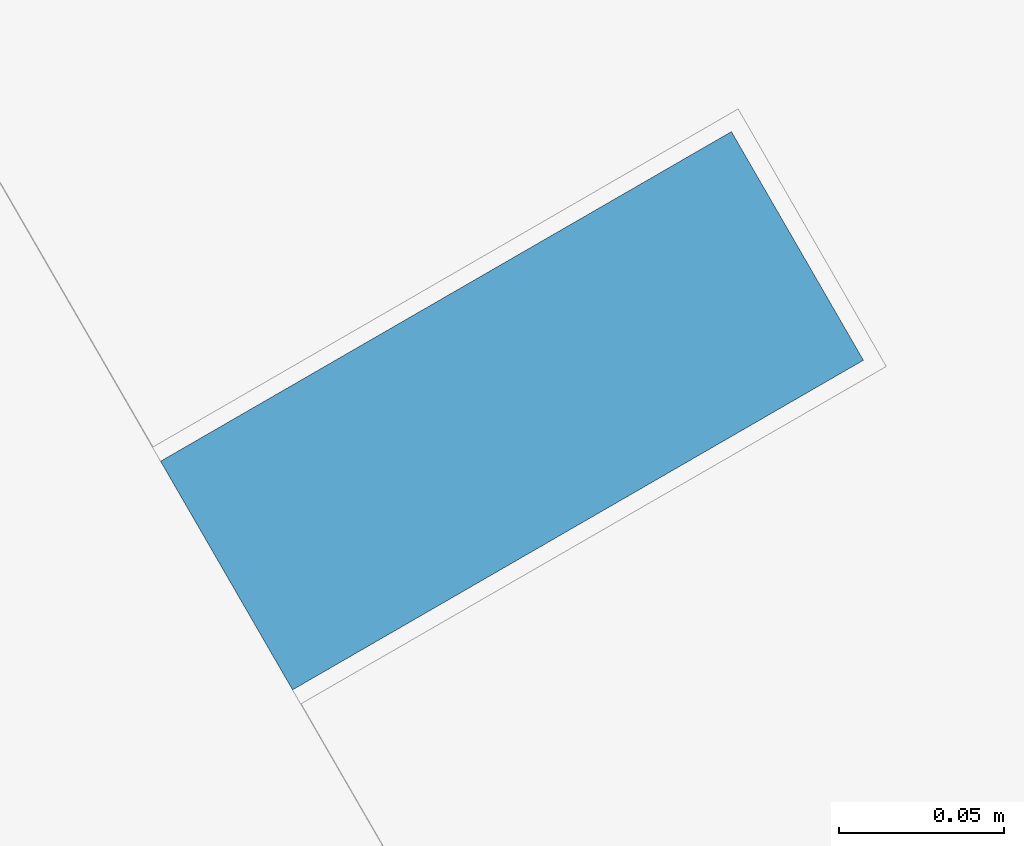
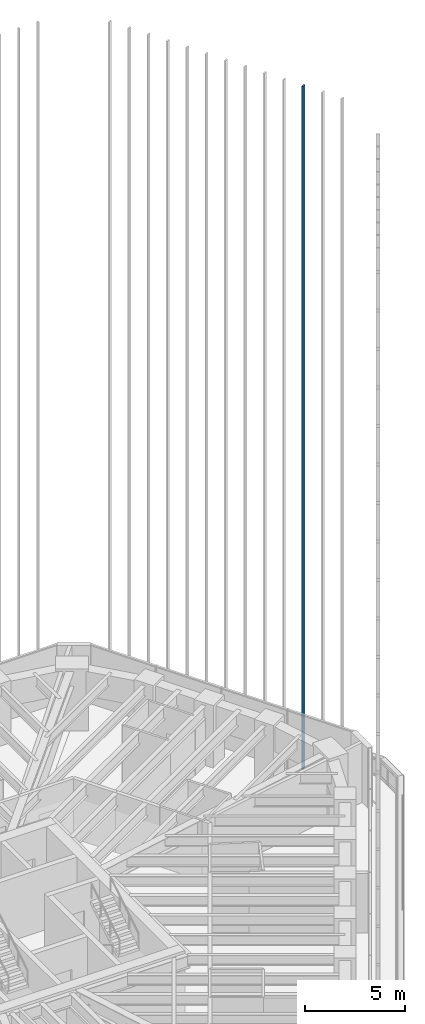
# One storey, part 114 of 127: 1 member, 1 element without a shape of its own.
"""IFC4 building model written with IfcOpenShell, lengths in metres."""

from ifc_helpers import new_model, si_unit, direction, frame, origin, origin_2d, place, context, subcontext, project, spatial, rectangle, extrude, material, material_profile, profile_set, type_object, element, aggregate, save


model = new_model("IFC4")

# Units and contexts
model_context = context("Model", 3, precision=1e-05, world=origin(), true_north=direction((0.0, 1.0)))
body_context = subcontext(model_context, "Body", "Model", "MODEL_VIEW")
ifc_project = project(units=[si_unit("LENGTHUNIT", "METRE"), si_unit("AREAUNIT", "SQUARE_METRE"), si_unit("VOLUMEUNIT", "CUBIC_METRE"), si_unit("PLANEANGLEUNIT", "RADIAN"), si_unit("MASSUNIT", "GRAM", prefix="KILO")], contexts=[model_context])

# Site, building, storey
site_placement = place(None, origin())
site = spatial("IfcSite", under=ifc_project, at=site_placement, CompositionType="ELEMENT")
building_placement = place(site_placement, origin())
building = spatial("IfcBuilding", under=site, at=building_placement, Name="Sandreach Pilgrim Tower", CompositionType="ELEMENT")
storey_placement = place(building_placement, frame((0.0, 0.0, 257.0)))
storey = spatial("IfcBuildingStorey", under=building, at=storey_placement, Name="L64", CompositionType="ELEMENT", Elevation=257.0)

# Curtain wall, member
ifc_material_1 = material(Name="Aluminium framed curtain wall", Category="aluminium")
curtain_wall_type = type_object("IfcCurtainWallType", Name="Suite tower curtain wall", PredefinedType="NOTDEFINED", material=ifc_material_1)
curtain_wall_placement = place(storey_placement, origin())
curtain_wall = element("IfcCurtainWall", 1, at=curtain_wall_placement, inside=storey, type_object=curtain_wall_type, Name="CW-4 L64 NE", PredefinedType="NOTDEFINED")
ifc_material_2 = material(Name="Extruded terracotta on aluminium core", Category="masonry")
ifc_material_profile = material_profile(ifc_material_2, rectangle(XDim=0.080078125, YDim=0.199951171875, at=origin_2d()), Name="TBE 80X200")
ifc_profile_set = profile_set([ifc_material_profile], Name="Extruded terracotta on aluminium core")
member_type = type_object("IfcMemberType", Name="Terracotta baguette east", PredefinedType="USERDEFINED", material=ifc_profile_set)
member_placement = place(storey_placement, frame((24.106689453125, 8.761962890625, 0.0), z_axis=(0.0, 0.0, 1.0), x_axis=(0.5, -0.866025403784, 0.0)))
member = element("IfcMember", 2, at=member_placement, type_object=member_type, Name="Baguette Z4 NE11", ObjectType="BAGUETTE", PredefinedType="USERDEFINED", context=body_context, shape_type="SweptSolid", body=[
    extrude(rectangle(XDim=0.080078125, YDim=0.199951171875, at=origin_2d()), origin(), (0.0, 0.0, 1.0), 41.639892578125),
])
aggregate(curtain_wall, [member])

save(model, "model.ifc")
